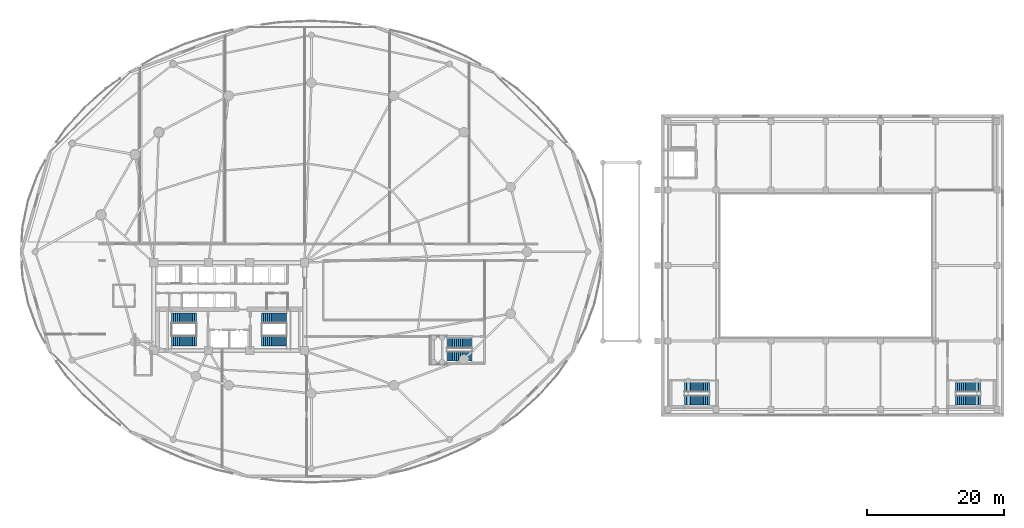
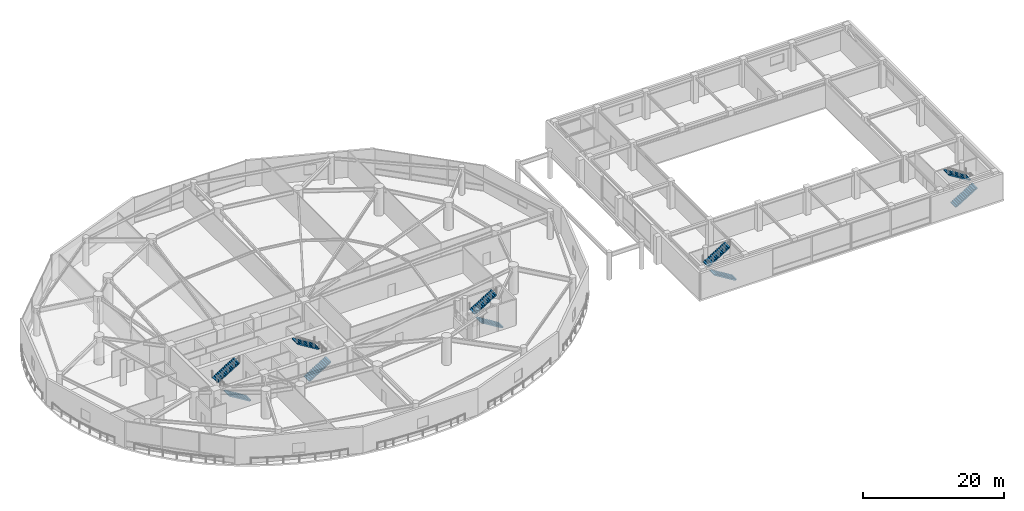
# One storey, part 32 of 40: 10 stair flights, 5 elements without a shape of their own.
"""IFC4 building model written with IfcOpenShell, lengths in metres."""

from ifc_helpers import new_model, si_unit, direction, frame, origin, place, context, subcontext, project, spatial, polyline, outline, extrude, material, layer, layer_set, type_object, element, aggregate, save


model = new_model("IFC4")

# Units and contexts
model_context = context("Model", 3, precision=1e-05, world=origin(), true_north=direction((0.0, 1.0)))
body_context = subcontext(model_context, "Body", "Model", "MODEL_VIEW")
ifc_project = project(units=[si_unit("LENGTHUNIT", "METRE"), si_unit("AREAUNIT", "SQUARE_METRE"), si_unit("VOLUMEUNIT", "CUBIC_METRE"), si_unit("PLANEANGLEUNIT", "RADIAN"), si_unit("MASSUNIT", "GRAM", prefix="KILO")], contexts=[model_context])

# Site, building, storey
site_placement = place(None, origin())
site = spatial("IfcSite", under=ifc_project, at=site_placement, CompositionType="ELEMENT")
building_placement = place(site_placement, origin())
building = spatial("IfcBuilding", under=site, at=building_placement, Name="Kazevale Care Tower and Concert Hall", CompositionType="ELEMENT")
storey_placement = place(building_placement, frame((0.0, 0.0, 9.60009765625)))
storey = spatial("IfcBuildingStorey", under=building, at=storey_placement, Name="L02", CompositionType="ELEMENT", Elevation=9.60009765625)

# Stair, stair flights
ifc_material = material(Name="Concrete C40", Category="concrete")
stair_type_1 = type_object("IfcStairType", Name="Exit Stair Assembly ST1-P", PredefinedType="HALF_TURN_STAIR", material=ifc_material)
stair_1_placement = place(storey_placement, origin())
stair_1 = element("IfcStair", 1, at=stair_1_placement, inside=storey, type_object=stair_type_1, Name="stair:L02:ST1", PredefinedType="HALF_TURN_STAIR")
ifc_layer_1 = layer(ifc_material, 0.159912109375)
ifc_layer_set_1 = layer_set([ifc_layer_1], Name="Concrete C40")
stair_flight_type_1 = type_object("IfcStairFlightType", Name="Exit Stair Flight ST1-P", PredefinedType="STRAIGHT", material=ifc_layer_set_1)
stair_flight_1_placement = place(storey_placement, frame((28.25, 25.0, 0.0), z_axis=(0.0, 0.0, 1.0), x_axis=(-1.0, 0.0, 0.0)))
stair_flight_1 = element("IfcStairFlight", 2, at=stair_flight_1_placement, type_object=stair_flight_type_1, Name="ST1-P flight 1", NumberOfRisers=14, NumberOfTreads=13, PredefinedType="STRAIGHT", RiserHeight=0.171429, TreadLength=0.28, context=body_context, shape_type="SweptSolid", body=[
    extrude(outline(polyline([(0.0, 0.0), (0.0, 0.17138671875), (0.280029296875, 0.17138671875), (0.280029296875, 0.3427734375), (0.56005859375, 0.3427734375), (0.56005859375, 0.514404296875), (0.840087890625, 0.514404296875), (0.840087890625, 0.685791015625), (1.1201171875, 0.685791015625), (1.1201171875, 0.857177734375), (1.39990234375, 0.857177734375), (1.39990234375, 1.028564453125), (1.679931640625, 1.028564453125), (1.679931640625, 1.199951171875), (1.9599609375, 1.199951171875), (1.9599609375, 1.371337890625), (2.239990234375, 1.371337890625), (2.239990234375, 1.54296875), (2.52001953125, 1.54296875), (2.52001953125, 1.71435546875), (2.800048828125, 1.71435546875), (2.800048828125, 1.8857421875), (3.080078125, 1.8857421875), (3.080078125, 2.05712890625), (3.360107421875, 2.05712890625), (3.360107421875, 2.228515625), (3.639892578125, 2.228515625), (3.639892578125, 2.39990234375), (3.639892578125, 2.041015625), (0.30615234375, 0.0), (0.0, 0.0)])), frame((0.0, 0.75, 0.0), z_axis=(0.0, -1.0, 0.0), x_axis=(1.0, 0.0, 0.0)), (0.0, 0.0, 1.0), 1.5),
])
stair_flight_2_placement = place(storey_placement, frame((24.610107421875, 28.300048828125, 2.39990234375), z_axis=(0.0, 0.0, 1.0), x_axis=(1.0, 0.0, 0.0)))
stair_flight_2 = element("IfcStairFlight", 3, at=stair_flight_2_placement, type_object=stair_flight_type_1, Name="ST1-P flight 2", NumberOfRisers=14, NumberOfTreads=13, PredefinedType="STRAIGHT", RiserHeight=0.171429, TreadLength=0.28, context=body_context, shape_type="SweptSolid", body=[
    extrude(outline(polyline([(0.0, 0.0), (0.0, 0.17138671875), (0.280029296875, 0.17138671875), (0.280029296875, 0.3427734375), (0.56005859375, 0.3427734375), (0.56005859375, 0.514404296875), (0.840087890625, 0.514404296875), (0.840087890625, 0.685791015625), (1.1201171875, 0.685791015625), (1.1201171875, 0.857177734375), (1.39990234375, 0.857177734375), (1.39990234375, 1.028564453125), (1.679931640625, 1.028564453125), (1.679931640625, 1.199951171875), (1.9599609375, 1.199951171875), (1.9599609375, 1.371337890625), (2.239990234375, 1.371337890625), (2.239990234375, 1.54296875), (2.52001953125, 1.54296875), (2.52001953125, 1.71435546875), (2.800048828125, 1.71435546875), (2.800048828125, 1.8857421875), (3.080078125, 1.8857421875), (3.080078125, 2.05712890625), (3.360107421875, 2.05712890625), (3.360107421875, 2.228515625), (3.639892578125, 2.228515625), (3.639892578125, 2.39990234375), (3.639892578125, 2.041015625), (0.30615234375, 0.0), (0.0, 0.0)])), frame((0.0, 0.75, 0.0), z_axis=(0.0, -1.0, 0.0), x_axis=(1.0, 0.0, 0.0)), (0.0, 0.0, 1.0), 1.5),
])
aggregate(stair_1, [stair_flight_1, stair_flight_2])

stair_2_placement = place(storey_placement, origin())
stair_2 = element("IfcStair", 4, at=stair_2_placement, inside=storey, type_object=stair_type_1, Name="stair:L02:ST2", PredefinedType="HALF_TURN_STAIR")
stair_flight_3_placement = place(storey_placement, frame((37.75, 25.0, 0.0), z_axis=(0.0, 0.0, 1.0), x_axis=(1.0, 0.0, 0.0)))
stair_flight_3 = element("IfcStairFlight", 5, at=stair_flight_3_placement, type_object=stair_flight_type_1, Name="ST1-P flight 1", NumberOfRisers=14, NumberOfTreads=13, PredefinedType="STRAIGHT", RiserHeight=0.171429, TreadLength=0.28, context=body_context, shape_type="SweptSolid", body=[
    extrude(outline(polyline([(0.0, 0.0), (0.0, 0.17138671875), (0.280029296875, 0.17138671875), (0.280029296875, 0.3427734375), (0.56005859375, 0.3427734375), (0.56005859375, 0.514404296875), (0.840087890625, 0.514404296875), (0.840087890625, 0.685791015625), (1.1201171875, 0.685791015625), (1.1201171875, 0.857177734375), (1.39990234375, 0.857177734375), (1.39990234375, 1.028564453125), (1.679931640625, 1.028564453125), (1.679931640625, 1.199951171875), (1.9599609375, 1.199951171875), (1.9599609375, 1.371337890625), (2.239990234375, 1.371337890625), (2.239990234375, 1.54296875), (2.52001953125, 1.54296875), (2.52001953125, 1.71435546875), (2.800048828125, 1.71435546875), (2.800048828125, 1.8857421875), (3.080078125, 1.8857421875), (3.080078125, 2.05712890625), (3.360107421875, 2.05712890625), (3.360107421875, 2.228515625), (3.639892578125, 2.228515625), (3.639892578125, 2.39990234375), (3.639892578125, 2.041015625), (0.30615234375, 0.0), (0.0, 0.0)])), frame((0.0, 0.75, 0.0), z_axis=(0.0, -1.0, 0.0), x_axis=(1.0, 0.0, 0.0)), (0.0, 0.0, 1.0), 1.5),
])
stair_flight_4_placement = place(storey_placement, frame((41.389892578125, 28.300048828125, 2.39990234375), z_axis=(0.0, 0.0, 1.0), x_axis=(-1.0, 0.0, 0.0)))
stair_flight_4 = element("IfcStairFlight", 6, at=stair_flight_4_placement, type_object=stair_flight_type_1, Name="ST1-P flight 2", NumberOfRisers=14, NumberOfTreads=13, PredefinedType="STRAIGHT", RiserHeight=0.171429, TreadLength=0.28, context=body_context, shape_type="SweptSolid", body=[
    extrude(outline(polyline([(0.0, 0.0), (0.0, 0.17138671875), (0.280029296875, 0.17138671875), (0.280029296875, 0.3427734375), (0.56005859375, 0.3427734375), (0.56005859375, 0.514404296875), (0.840087890625, 0.514404296875), (0.840087890625, 0.685791015625), (1.1201171875, 0.685791015625), (1.1201171875, 0.857177734375), (1.39990234375, 0.857177734375), (1.39990234375, 1.028564453125), (1.679931640625, 1.028564453125), (1.679931640625, 1.199951171875), (1.9599609375, 1.199951171875), (1.9599609375, 1.371337890625), (2.239990234375, 1.371337890625), (2.239990234375, 1.54296875), (2.52001953125, 1.54296875), (2.52001953125, 1.71435546875), (2.800048828125, 1.71435546875), (2.800048828125, 1.8857421875), (3.080078125, 1.8857421875), (3.080078125, 2.05712890625), (3.360107421875, 2.05712890625), (3.360107421875, 2.228515625), (3.639892578125, 2.228515625), (3.639892578125, 2.39990234375), (3.639892578125, 2.041015625), (0.30615234375, 0.0), (0.0, 0.0)])), frame((0.0, 0.75, 0.0), z_axis=(0.0, -1.0, 0.0), x_axis=(1.0, 0.0, 0.0)), (0.0, 0.0, 1.0), 1.5),
])
aggregate(stair_2, [stair_flight_3, stair_flight_4])

stair_type_2 = type_object("IfcStairType", Name="Exit Stair Assembly ST3-P", PredefinedType="HALF_TURN_STAIR", material=ifc_material)
stair_3_placement = place(storey_placement, origin())
stair_3 = element("IfcStair", 7, at=stair_3_placement, inside=storey, type_object=stair_type_2, Name="stair:L02:ST3", PredefinedType="HALF_TURN_STAIR")
ifc_layer_2 = layer(ifc_material, 0.159912109375)
ifc_layer_set_2 = layer_set([ifc_layer_2], Name="Concrete C40")
stair_flight_type_2 = type_object("IfcStairFlightType", Name="Exit Stair Flight ST3-P", PredefinedType="STRAIGHT", material=ifc_layer_set_2)
stair_flight_5_placement = place(storey_placement, frame((68.39990234375, 22.764892578125, 0.0), z_axis=(0.0, 0.0, 1.0), x_axis=(-1.0, 0.0, 0.0)))
stair_flight_5 = element("IfcStairFlight", 8, at=stair_flight_5_placement, type_object=stair_flight_type_2, Name="ST3-P flight 1", NumberOfRisers=14, NumberOfTreads=13, PredefinedType="STRAIGHT", RiserHeight=0.171429, TreadLength=0.28, context=body_context, shape_type="SweptSolid", body=[
    extrude(outline(polyline([(0.0, 0.0), (0.0, 0.17138671875), (0.280029296875, 0.17138671875), (0.280029296875, 0.3427734375), (0.56005859375, 0.3427734375), (0.56005859375, 0.514404296875), (0.840087890625, 0.514404296875), (0.840087890625, 0.685791015625), (1.1201171875, 0.685791015625), (1.1201171875, 0.857177734375), (1.39990234375, 0.857177734375), (1.39990234375, 1.028564453125), (1.679931640625, 1.028564453125), (1.679931640625, 1.199951171875), (1.9599609375, 1.199951171875), (1.9599609375, 1.371337890625), (2.239990234375, 1.371337890625), (2.239990234375, 1.54296875), (2.52001953125, 1.54296875), (2.52001953125, 1.71435546875), (2.800048828125, 1.71435546875), (2.800048828125, 1.8857421875), (3.080078125, 1.8857421875), (3.080078125, 2.05712890625), (3.360107421875, 2.05712890625), (3.360107421875, 2.228515625), (3.639892578125, 2.228515625), (3.639892578125, 2.39990234375), (3.639892578125, 2.041015625), (0.30615234375, 0.0), (0.0, 0.0)])), frame((0.0, 0.71484375, 0.0), z_axis=(0.0, -1.0, 0.0), x_axis=(1.0, 0.0, 0.0)), (0.0, 0.0, 1.0), 1.429931640625),
])
stair_flight_6_placement = place(storey_placement, frame((64.760009765625, 24.635009765625, 2.39990234375), z_axis=(0.0, 0.0, 1.0), x_axis=(1.0, 0.0, 0.0)))
stair_flight_6 = element("IfcStairFlight", 9, at=stair_flight_6_placement, type_object=stair_flight_type_2, Name="ST3-P flight 2", NumberOfRisers=14, NumberOfTreads=13, PredefinedType="STRAIGHT", RiserHeight=0.171429, TreadLength=0.28, context=body_context, shape_type="SweptSolid", body=[
    extrude(outline(polyline([(0.0, 0.0), (0.0, 0.17138671875), (0.280029296875, 0.17138671875), (0.280029296875, 0.3427734375), (0.56005859375, 0.3427734375), (0.56005859375, 0.514404296875), (0.840087890625, 0.514404296875), (0.840087890625, 0.685791015625), (1.1201171875, 0.685791015625), (1.1201171875, 0.857177734375), (1.39990234375, 0.857177734375), (1.39990234375, 1.028564453125), (1.679931640625, 1.028564453125), (1.679931640625, 1.199951171875), (1.9599609375, 1.199951171875), (1.9599609375, 1.371337890625), (2.239990234375, 1.371337890625), (2.239990234375, 1.54296875), (2.52001953125, 1.54296875), (2.52001953125, 1.71435546875), (2.800048828125, 1.71435546875), (2.800048828125, 1.8857421875), (3.080078125, 1.8857421875), (3.080078125, 2.05712890625), (3.360107421875, 2.05712890625), (3.360107421875, 2.228515625), (3.639892578125, 2.228515625), (3.639892578125, 2.39990234375), (3.639892578125, 2.041015625), (0.30615234375, 0.0), (0.0, 0.0)])), frame((0.0, 0.71484375, 0.0), z_axis=(0.0, -1.0, 0.0), x_axis=(1.0, 0.0, 0.0)), (0.0, 0.0, 1.0), 1.429931640625),
])
aggregate(stair_3, [stair_flight_5, stair_flight_6])

stair_type_3 = type_object("IfcStairType", Name="Exit Stair Assembly ST4-H", PredefinedType="HALF_TURN_STAIR", material=ifc_material)
stair_4_placement = place(storey_placement, origin())
stair_4 = element("IfcStair", 10, at=stair_4_placement, inside=storey, type_object=stair_type_3, Name="stair:L02:ST4", PredefinedType="HALF_TURN_STAIR")
ifc_layer_3 = layer(ifc_material, 0.159912109375)
ifc_layer_set_3 = layer_set([ifc_layer_3], Name="Concrete C40")
stair_flight_type_3 = type_object("IfcStairFlightType", Name="Exit Stair Flight ST4-H", PredefinedType="STRAIGHT", material=ifc_layer_set_3)
stair_flight_7_placement = place(storey_placement, frame((103.050048828125, 16.35498046875, 0.0), z_axis=(0.0, 0.0, 1.0), x_axis=(-1.0, 0.0, 0.0)))
stair_flight_7 = element("IfcStairFlight", 11, at=stair_flight_7_placement, type_object=stair_flight_type_3, Name="ST4-H flight 1", NumberOfRisers=14, NumberOfTreads=13, PredefinedType="STRAIGHT", RiserHeight=0.171429, TreadLength=0.28, context=body_context, shape_type="SweptSolid", body=[
    extrude(outline(polyline([(0.0, 0.0), (0.0, 0.17138671875), (0.280029296875, 0.17138671875), (0.280029296875, 0.3427734375), (0.56005859375, 0.3427734375), (0.56005859375, 0.514404296875), (0.840087890625, 0.514404296875), (0.840087890625, 0.685791015625), (1.1201171875, 0.685791015625), (1.1201171875, 0.857177734375), (1.39990234375, 0.857177734375), (1.39990234375, 1.028564453125), (1.679931640625, 1.028564453125), (1.679931640625, 1.199951171875), (1.9599609375, 1.199951171875), (1.9599609375, 1.371337890625), (2.239990234375, 1.371337890625), (2.239990234375, 1.54296875), (2.52001953125, 1.54296875), (2.52001953125, 1.71435546875), (2.800048828125, 1.71435546875), (2.800048828125, 1.8857421875), (3.080078125, 1.8857421875), (3.080078125, 2.05712890625), (3.360107421875, 2.05712890625), (3.360107421875, 2.228515625), (3.639892578125, 2.228515625), (3.639892578125, 2.39990234375), (3.639892578125, 2.041015625), (0.30615234375, 0.0), (0.0, 0.0)])), frame((0.0, 0.705078125, 0.0), z_axis=(0.0, -1.0, 0.0), x_axis=(1.0, 0.0, 0.0)), (0.0, 0.0, 1.0), 1.409912109375),
])
stair_flight_8_placement = place(storey_placement, frame((99.409912109375, 18.2451171875, 2.39990234375), z_axis=(0.0, 0.0, 1.0), x_axis=(1.0, 0.0, 0.0)))
stair_flight_8 = element("IfcStairFlight", 12, at=stair_flight_8_placement, type_object=stair_flight_type_3, Name="ST4-H flight 2", NumberOfRisers=14, NumberOfTreads=13, PredefinedType="STRAIGHT", RiserHeight=0.171429, TreadLength=0.28, context=body_context, shape_type="SweptSolid", body=[
    extrude(outline(polyline([(0.0, 0.0), (0.0, 0.17138671875), (0.280029296875, 0.17138671875), (0.280029296875, 0.3427734375), (0.56005859375, 0.3427734375), (0.56005859375, 0.514404296875), (0.840087890625, 0.514404296875), (0.840087890625, 0.685791015625), (1.1201171875, 0.685791015625), (1.1201171875, 0.857177734375), (1.39990234375, 0.857177734375), (1.39990234375, 1.028564453125), (1.679931640625, 1.028564453125), (1.679931640625, 1.199951171875), (1.9599609375, 1.199951171875), (1.9599609375, 1.371337890625), (2.239990234375, 1.371337890625), (2.239990234375, 1.54296875), (2.52001953125, 1.54296875), (2.52001953125, 1.71435546875), (2.800048828125, 1.71435546875), (2.800048828125, 1.8857421875), (3.080078125, 1.8857421875), (3.080078125, 2.05712890625), (3.360107421875, 2.05712890625), (3.360107421875, 2.228515625), (3.639892578125, 2.228515625), (3.639892578125, 2.39990234375), (3.639892578125, 2.041015625), (0.30615234375, 0.0), (0.0, 0.0)])), frame((0.0, 0.705078125, 0.0), z_axis=(0.0, -1.0, 0.0), x_axis=(1.0, 0.0, 0.0)), (0.0, 0.0, 1.0), 1.409912109375),
])
aggregate(stair_4, [stair_flight_7, stair_flight_8])

stair_5_placement = place(storey_placement, origin())
stair_5 = element("IfcStair", 13, at=stair_5_placement, inside=storey, type_object=stair_type_3, Name="stair:L02:ST5", PredefinedType="HALF_TURN_STAIR")
stair_flight_9_placement = place(storey_placement, frame((138.949951171875, 16.35498046875, 0.0), z_axis=(0.0, 0.0, 1.0), x_axis=(1.0, 0.0, 0.0)))
stair_flight_9 = element("IfcStairFlight", 14, at=stair_flight_9_placement, type_object=stair_flight_type_3, Name="ST4-H flight 1", NumberOfRisers=14, NumberOfTreads=13, PredefinedType="STRAIGHT", RiserHeight=0.171429, TreadLength=0.28, context=body_context, shape_type="SweptSolid", body=[
    extrude(outline(polyline([(0.0, 0.0), (0.0, 0.17138671875), (0.280029296875, 0.17138671875), (0.280029296875, 0.3427734375), (0.56005859375, 0.3427734375), (0.56005859375, 0.514404296875), (0.840087890625, 0.514404296875), (0.840087890625, 0.685791015625), (1.1201171875, 0.685791015625), (1.1201171875, 0.857177734375), (1.39990234375, 0.857177734375), (1.39990234375, 1.028564453125), (1.679931640625, 1.028564453125), (1.679931640625, 1.199951171875), (1.9599609375, 1.199951171875), (1.9599609375, 1.371337890625), (2.239990234375, 1.371337890625), (2.239990234375, 1.54296875), (2.52001953125, 1.54296875), (2.52001953125, 1.71435546875), (2.800048828125, 1.71435546875), (2.800048828125, 1.8857421875), (3.080078125, 1.8857421875), (3.080078125, 2.05712890625), (3.360107421875, 2.05712890625), (3.360107421875, 2.228515625), (3.639892578125, 2.228515625), (3.639892578125, 2.39990234375), (3.639892578125, 2.041015625), (0.30615234375, 0.0), (0.0, 0.0)])), frame((0.0, 0.705078125, 0.0), z_axis=(0.0, -1.0, 0.0), x_axis=(1.0, 0.0, 0.0)), (0.0, 0.0, 1.0), 1.409912109375),
])
stair_flight_10_placement = place(storey_placement, frame((142.590087890625, 18.2451171875, 2.39990234375), z_axis=(0.0, 0.0, 1.0), x_axis=(-1.0, 0.0, 0.0)))
stair_flight_10 = element("IfcStairFlight", 15, at=stair_flight_10_placement, type_object=stair_flight_type_3, Name="ST4-H flight 2", NumberOfRisers=14, NumberOfTreads=13, PredefinedType="STRAIGHT", RiserHeight=0.171429, TreadLength=0.28, context=body_context, shape_type="SweptSolid", body=[
    extrude(outline(polyline([(0.0, 0.0), (0.0, 0.17138671875), (0.280029296875, 0.17138671875), (0.280029296875, 0.3427734375), (0.56005859375, 0.3427734375), (0.56005859375, 0.514404296875), (0.840087890625, 0.514404296875), (0.840087890625, 0.685791015625), (1.1201171875, 0.685791015625), (1.1201171875, 0.857177734375), (1.39990234375, 0.857177734375), (1.39990234375, 1.028564453125), (1.679931640625, 1.028564453125), (1.679931640625, 1.199951171875), (1.9599609375, 1.199951171875), (1.9599609375, 1.371337890625), (2.239990234375, 1.371337890625), (2.239990234375, 1.54296875), (2.52001953125, 1.54296875), (2.52001953125, 1.71435546875), (2.800048828125, 1.71435546875), (2.800048828125, 1.8857421875), (3.080078125, 1.8857421875), (3.080078125, 2.05712890625), (3.360107421875, 2.05712890625), (3.360107421875, 2.228515625), (3.639892578125, 2.228515625), (3.639892578125, 2.39990234375), (3.639892578125, 2.041015625), (0.30615234375, 0.0), (0.0, 0.0)])), frame((0.0, 0.705078125, 0.0), z_axis=(0.0, -1.0, 0.0), x_axis=(1.0, 0.0, 0.0)), (0.0, 0.0, 1.0), 1.409912109375),
])
aggregate(stair_5, [stair_flight_9, stair_flight_10])

save(model, "model.ifc")
